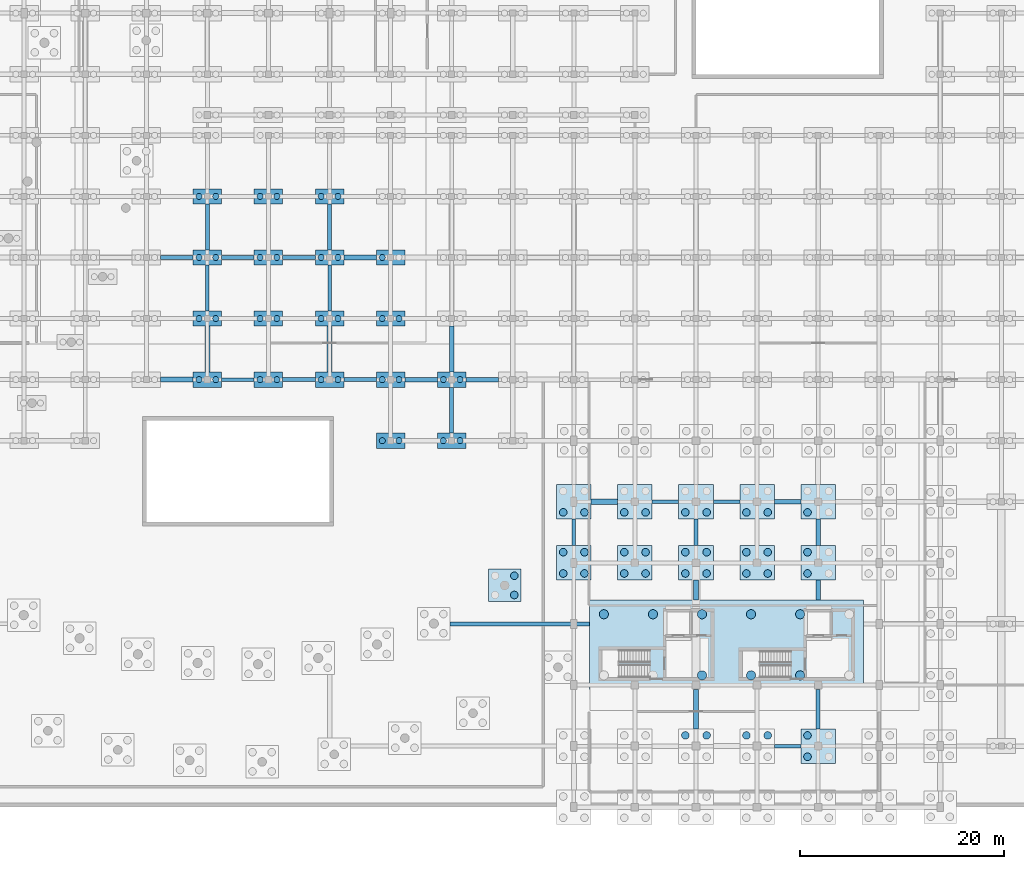
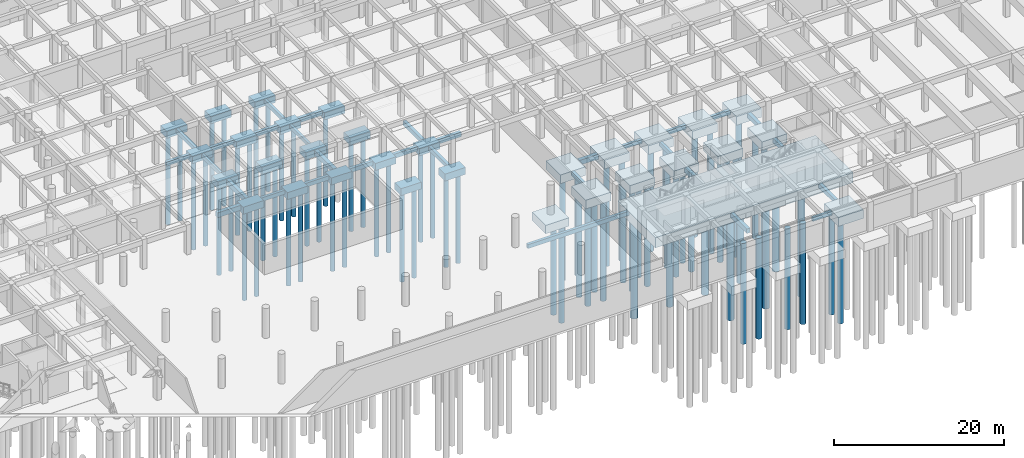
# One storey, part 4 of 41: 78 piles, 62 footings.
"""IFC4 building model written with IfcOpenShell, lengths in metres."""

from ifc_helpers import new_model, si_unit, direction, frame, origin, origin_2d, place, context, subcontext, project, spatial, polyline, rectangle, circle, outline, extrude, material, material_profile, profile_set, type_object, element, save


model = new_model("IFC4")

# Units and contexts
model_context = context("Model", 3, precision=1e-05, world=origin(), true_north=direction((0.0, 1.0)))
body_context = subcontext(model_context, "Body", "Model", "MODEL_VIEW")
ifc_project = project(units=[si_unit("LENGTHUNIT", "METRE"), si_unit("AREAUNIT", "SQUARE_METRE"), si_unit("VOLUMEUNIT", "CUBIC_METRE"), si_unit("PLANEANGLEUNIT", "RADIAN"), si_unit("MASSUNIT", "GRAM", prefix="KILO"), si_unit("POWERUNIT", "WATT"), si_unit("THERMODYNAMICTEMPERATUREUNIT", "KELVIN")], contexts=[model_context])

# Site, building, storey
site_placement = place(None, origin())
site = spatial("IfcSite", under=ifc_project, at=site_placement, CompositionType="ELEMENT")
building_placement = place(site_placement, origin())
building = spatial("IfcBuilding", under=site, at=building_placement, Name="Ruvembo Vaulted Housing Court", CompositionType="ELEMENT")
storey_placement = place(building_placement, frame((0.0, 0.0, -4.5)))
storey = spatial("IfcBuildingStorey", under=building, at=storey_placement, Name="B1", CompositionType="ELEMENT", Elevation=-4.5)

# Footings
ifc_material_1 = material(Name="Concrete C30/37", Category="concrete")
footing_type_1 = type_object("IfcFootingType", Name="GB-350x550", PredefinedType="FOOTING_BEAM", material=ifc_material_1)
footing_1_placement = place(storey_placement, frame((0.0, 0.0, -0.85009765625)))
element("IfcFooting", 1, at=footing_1_placement, inside=storey, type_object=footing_type_1, Name="Ground Tie Beam GB-012", PredefinedType="FOOTING_BEAM", context=body_context, shape_type="SweptSolid", body=[
    extrude(outline(polyline([(121.699951171875, 5.824951171875), (124.300048828125, 5.824951171875), (124.300048828125, 6.175048828125), (121.699951171875, 6.175048828125), (121.699951171875, 5.824951171875)])), origin(), (0.0, 0.0, 1.0), 0.550048828125),
])
footing_2_placement = place(storey_placement, frame((0.0, 0.0, -0.85009765625)))
element("IfcFooting", 2, at=footing_2_placement, inside=storey, type_object=footing_type_1, Name="Ground Tie Beam GB-042", PredefinedType="FOOTING_BEAM", context=body_context, shape_type="SweptSolid", body=[
    extrude(outline(polyline([(109.699951171875, 29.824951171875), (112.300048828125, 29.824951171875), (112.300048828125, 30.175048828125), (109.699951171875, 30.175048828125), (109.699951171875, 29.824951171875)])), origin(), (0.0, 0.0, 1.0), 0.550048828125),
])
footing_3_placement = place(storey_placement, frame((0.0, 0.0, -0.85009765625)))
element("IfcFooting", 3, at=footing_3_placement, inside=storey, type_object=footing_type_1, Name="Ground Tie Beam GB-066", PredefinedType="FOOTING_BEAM", context=body_context, shape_type="SweptSolid", body=[
    extrude(outline(polyline([(67.39990234375, 41.824951171875), (70.60009765625, 41.824951171875), (70.60009765625, 42.175048828125), (67.39990234375, 42.175048828125), (67.39990234375, 41.824951171875)])), origin(), (0.0, 0.0, 1.0), 0.550048828125),
])
footing_4_placement = place(storey_placement, frame((0.0, 0.0, -0.85009765625)))
element("IfcFooting", 4, at=footing_4_placement, inside=storey, type_object=footing_type_1, Name="Ground Tie Beam GB-234", PredefinedType="FOOTING_BEAM", context=body_context, shape_type="SweptSolid", body=[
    extrude(outline(polyline([(65.824951171875, 48.75), (66.175048828125, 48.75), (66.175048828125, 53.25), (65.824951171875, 53.25), (65.824951171875, 48.75)])), origin(), (0.0, 0.0, 1.0), 0.550048828125),
])
footing_5_placement = place(storey_placement, frame((0.0, 0.0, -0.85009765625)))
element("IfcFooting", 5, at=footing_5_placement, inside=storey, type_object=footing_type_1, Name="Ground Tie Beam GB-246", PredefinedType="FOOTING_BEAM", context=body_context, shape_type="SweptSolid", body=[
    extrude(outline(polyline([(77.824951171875, 48.75), (78.175048828125, 48.75), (78.175048828125, 53.25), (77.824951171875, 53.25), (77.824951171875, 48.75)])), origin(), (0.0, 0.0, 1.0), 0.550048828125),
])
footing_6_placement = place(storey_placement, frame((0.0, 0.0, -0.85009765625)))
element("IfcFooting", 6, at=footing_6_placement, inside=storey, type_object=footing_type_1, Name="Ground Tie Beam GB-264", PredefinedType="FOOTING_BEAM", context=body_context, shape_type="SweptSolid", body=[
    extrude(outline(polyline([(101.824951171875, 25.699951171875), (102.175048828125, 25.699951171875), (102.175048828125, 28.300048828125), (101.824951171875, 28.300048828125), (101.824951171875, 25.699951171875)])), origin(), (0.0, 0.0, 1.0), 0.550048828125),
])
footing_7_placement = place(storey_placement, frame((0.0, 0.0, -0.85009765625)))
element("IfcFooting", 7, at=footing_7_placement, inside=storey, type_object=footing_type_1, Name="Ground Tie Beam GB-276", PredefinedType="FOOTING_BEAM", context=body_context, shape_type="SweptSolid", body=[
    extrude(outline(polyline([(113.824951171875, 25.699951171875), (114.175048828125, 25.699951171875), (114.175048828125, 28.300048828125), (113.824951171875, 28.300048828125), (113.824951171875, 25.699951171875)])), origin(), (0.0, 0.0, 1.0), 0.550048828125),
])
footing_type_2 = type_object("IfcFootingType", Name="GB-380x580", PredefinedType="FOOTING_BEAM", material=ifc_material_1)
footing_8_placement = place(storey_placement, frame((0.0, 0.0, -0.8798828125)))
element("IfcFooting", 8, at=footing_8_placement, inside=storey, type_object=footing_type_2, Name="Ground Tie Beam GB-025", PredefinedType="FOOTING_BEAM", context=body_context, shape_type="SweptSolid", body=[
    extrude(outline(polyline([(89.8447265625, 17.81005859375), (103.550048828125, 17.81005859375), (103.550048828125, 18.18994140625), (89.8447265625, 18.18994140625), (89.8447265625, 17.81005859375)])), origin(), (0.0, 0.0, 1.0), 0.579833984375),
])
footing_9_placement = place(storey_placement, frame((0.0, 0.0, -0.8798828125)))
element("IfcFooting", 9, at=footing_9_placement, inside=storey, type_object=footing_type_2, Name="Ground Tie Beam GB-043", PredefinedType="FOOTING_BEAM", context=body_context, shape_type="SweptSolid", body=[
    extrude(outline(polyline([(115.699951171875, 29.81005859375), (118.300048828125, 29.81005859375), (118.300048828125, 30.18994140625), (115.699951171875, 30.18994140625), (115.699951171875, 29.81005859375)])), origin(), (0.0, 0.0, 1.0), 0.579833984375),
])
footing_10_placement = place(storey_placement, frame((0.0, 0.0, -0.8798828125)))
element("IfcFooting", 10, at=footing_10_placement, inside=storey, type_object=footing_type_2, Name="Ground Tie Beam GB-067", PredefinedType="FOOTING_BEAM", context=body_context, shape_type="SweptSolid", body=[
    extrude(outline(polyline([(73.39990234375, 41.81005859375), (76.60009765625, 41.81005859375), (76.60009765625, 42.18994140625), (73.39990234375, 42.18994140625), (73.39990234375, 41.81005859375)])), origin(), (0.0, 0.0, 1.0), 0.579833984375),
])
footing_11_placement = place(storey_placement, frame((0.0, 0.0, -0.8798828125)))
element("IfcFooting", 11, at=footing_11_placement, inside=storey, type_object=footing_type_2, Name="Ground Tie Beam GB-091", PredefinedType="FOOTING_BEAM", context=body_context, shape_type="SweptSolid", body=[
    extrude(outline(polyline([(61.39990234375, 53.81005859375), (64.60009765625, 53.81005859375), (64.60009765625, 54.18994140625), (61.39990234375, 54.18994140625), (61.39990234375, 53.81005859375)])), origin(), (0.0, 0.0, 1.0), 0.579833984375),
])
footing_12_placement = place(storey_placement, frame((0.0, 0.0, -0.8798828125)))
element("IfcFooting", 12, at=footing_12_placement, inside=storey, type_object=footing_type_2, Name="Ground Tie Beam GB-235", PredefinedType="FOOTING_BEAM", context=body_context, shape_type="SweptSolid", body=[
    extrude(outline(polyline([(65.81005859375, 54.75), (66.18994140625, 54.75), (66.18994140625, 59.25), (65.81005859375, 59.25), (65.81005859375, 54.75)])), origin(), (0.0, 0.0, 1.0), 0.579833984375),
])
footing_13_placement = place(storey_placement, frame((0.0, 0.0, -0.8798828125)))
element("IfcFooting", 13, at=footing_13_placement, inside=storey, type_object=footing_type_2, Name="Ground Tie Beam GB-247", PredefinedType="FOOTING_BEAM", context=body_context, shape_type="SweptSolid", body=[
    extrude(outline(polyline([(77.81005859375, 54.75), (78.18994140625, 54.75), (78.18994140625, 59.25), (77.81005859375, 59.25), (77.81005859375, 54.75)])), origin(), (0.0, 0.0, 1.0), 0.579833984375),
])
footing_type_3 = type_object("IfcFootingType", Name="GB-400x600", PredefinedType="FOOTING_BEAM", material=ifc_material_1)
footing_14_placement = place(storey_placement, frame((0.0, 0.0, -0.89990234375)))
element("IfcFooting", 14, at=footing_14_placement, inside=storey, type_object=footing_type_3, Name="Ground Tie Beam GB-044", PredefinedType="FOOTING_BEAM", context=body_context, shape_type="SweptSolid", body=[
    extrude(outline(polyline([(121.699951171875, 29.800048828125), (124.300048828125, 29.800048828125), (124.300048828125, 30.199951171875), (121.699951171875, 30.199951171875), (121.699951171875, 29.800048828125)])), origin(), (0.0, 0.0, 1.0), 0.599853515625),
])
footing_15_placement = place(storey_placement, frame((0.0, 0.0, -0.89990234375)))
element("IfcFooting", 15, at=footing_15_placement, inside=storey, type_object=footing_type_3, Name="Ground Tie Beam GB-068", PredefinedType="FOOTING_BEAM", context=body_context, shape_type="SweptSolid", body=[
    extrude(outline(polyline([(79.39990234375, 41.800048828125), (82.60009765625, 41.800048828125), (82.60009765625, 42.199951171875), (79.39990234375, 42.199951171875), (79.39990234375, 41.800048828125)])), origin(), (0.0, 0.0, 1.0), 0.599853515625),
])
footing_16_placement = place(storey_placement, frame((0.0, 0.0, -0.89990234375)))
element("IfcFooting", 16, at=footing_16_placement, inside=storey, type_object=footing_type_3, Name="Ground Tie Beam GB-092", PredefinedType="FOOTING_BEAM", context=body_context, shape_type="SweptSolid", body=[
    extrude(outline(polyline([(67.39990234375, 53.800048828125), (70.60009765625, 53.800048828125), (70.60009765625, 54.199951171875), (67.39990234375, 54.199951171875), (67.39990234375, 53.800048828125)])), origin(), (0.0, 0.0, 1.0), 0.599853515625),
])
footing_17_placement = place(storey_placement, frame((0.0, 0.0, -0.89990234375)))
element("IfcFooting", 17, at=footing_17_placement, inside=storey, type_object=footing_type_3, Name="Ground Tie Beam GB-254", PredefinedType="FOOTING_BEAM", context=body_context, shape_type="SweptSolid", body=[
    extrude(outline(polyline([(89.800048828125, 36.75), (90.199951171875, 36.75), (90.199951171875, 41.25), (89.800048828125, 41.25), (89.800048828125, 36.75)])), origin(), (0.0, 0.0, 1.0), 0.599853515625),
])
footing_18_placement = place(storey_placement, frame((0.0, 0.0, -0.89990234375)))
element("IfcFooting", 18, at=footing_18_placement, inside=storey, type_object=footing_type_3, Name="Ground Tie Beam GB-284", PredefinedType="FOOTING_BEAM", context=body_context, shape_type="SweptSolid", body=[
    extrude(outline(polyline([(125.800048828125, 7.699951171875), (126.199951171875, 7.699951171875), (126.199951171875, 11.550048828125), (125.800048828125, 11.550048828125), (125.800048828125, 7.699951171875)])), origin(), (0.0, 0.0, 1.0), 0.599853515625),
])
footing_type_4 = type_object("IfcFootingType", Name="GB-420x620", PredefinedType="FOOTING_BEAM", material=ifc_material_1)
footing_19_placement = place(storey_placement, frame((0.0, 0.0, -0.919921875)))
element("IfcFooting", 19, at=footing_19_placement, inside=storey, type_object=footing_type_4, Name="Ground Tie Beam GB-069", PredefinedType="FOOTING_BEAM", context=body_context, shape_type="SweptSolid", body=[
    extrude(outline(polyline([(85.39990234375, 41.7900390625), (88.60009765625, 41.7900390625), (88.60009765625, 42.2099609375), (85.39990234375, 42.2099609375), (85.39990234375, 41.7900390625)])), origin(), (0.0, 0.0, 1.0), 0.619873046875),
])
footing_20_placement = place(storey_placement, frame((0.0, 0.0, -0.919921875)))
element("IfcFooting", 20, at=footing_20_placement, inside=storey, type_object=footing_type_4, Name="Ground Tie Beam GB-093", PredefinedType="FOOTING_BEAM", context=body_context, shape_type="SweptSolid", body=[
    extrude(outline(polyline([(73.39990234375, 53.7900390625), (76.60009765625, 53.7900390625), (76.60009765625, 54.2099609375), (73.39990234375, 54.2099609375), (73.39990234375, 53.7900390625)])), origin(), (0.0, 0.0, 1.0), 0.619873046875),
])
footing_21_placement = place(storey_placement, frame((0.0, 0.0, -0.919921875)))
element("IfcFooting", 21, at=footing_21_placement, inside=storey, type_object=footing_type_4, Name="Ground Tie Beam GB-255", PredefinedType="FOOTING_BEAM", context=body_context, shape_type="SweptSolid", body=[
    extrude(outline(polyline([(89.7900390625, 42.75), (90.2099609375, 42.75), (90.2099609375, 47.25), (89.7900390625, 47.25), (89.7900390625, 42.75)])), origin(), (0.0, 0.0, 1.0), 0.619873046875),
])
footing_22_placement = place(storey_placement, frame((0.0, 0.0, -0.919921875)))
element("IfcFooting", 22, at=footing_22_placement, inside=storey, type_object=footing_type_4, Name="Ground Tie Beam GB-285", PredefinedType="FOOTING_BEAM", context=body_context, shape_type="SweptSolid", body=[
    extrude(outline(polyline([(125.7900390625, 20.35009765625), (126.2099609375, 20.35009765625), (126.2099609375, 22.300048828125), (125.7900390625, 22.300048828125), (125.7900390625, 20.35009765625)])), origin(), (0.0, 0.0, 1.0), 0.619873046875),
])
footing_type_5 = type_object("IfcFootingType", Name="GB-450x650", PredefinedType="FOOTING_BEAM", material=ifc_material_1)
footing_23_placement = place(storey_placement, frame((0.0, 0.0, -0.949951171875)))
element("IfcFooting", 23, at=footing_23_placement, inside=storey, type_object=footing_type_5, Name="Ground Tie Beam GB-070", PredefinedType="FOOTING_BEAM", context=body_context, shape_type="SweptSolid", body=[
    extrude(outline(polyline([(91.39990234375, 41.77490234375), (94.60009765625, 41.77490234375), (94.60009765625, 42.22509765625), (91.39990234375, 42.22509765625), (91.39990234375, 41.77490234375)])), origin(), (0.0, 0.0, 1.0), 0.64990234375),
])
footing_24_placement = place(storey_placement, frame((0.0, 0.0, -0.949951171875)))
element("IfcFooting", 24, at=footing_24_placement, inside=storey, type_object=footing_type_5, Name="Ground Tie Beam GB-094", PredefinedType="FOOTING_BEAM", context=body_context, shape_type="SweptSolid", body=[
    extrude(outline(polyline([(79.39990234375, 53.77490234375), (82.60009765625, 53.77490234375), (82.60009765625, 54.22509765625), (79.39990234375, 54.22509765625), (79.39990234375, 53.77490234375)])), origin(), (0.0, 0.0, 1.0), 0.64990234375),
])
footing_25_placement = place(storey_placement, frame((0.0, 0.0, -0.949951171875)))
element("IfcFooting", 25, at=footing_25_placement, inside=storey, type_object=footing_type_5, Name="Ground Tie Beam GB-274", PredefinedType="FOOTING_BEAM", context=body_context, shape_type="SweptSolid", body=[
    extrude(outline(polyline([(113.77490234375, 7.699951171875), (114.22509765625, 7.699951171875), (114.22509765625, 11.550048828125), (113.77490234375, 11.550048828125), (113.77490234375, 7.699951171875)])), origin(), (0.0, 0.0, 1.0), 0.64990234375),
])
footing_26_placement = place(storey_placement, frame((0.0, 0.0, -0.949951171875)))
element("IfcFooting", 26, at=footing_26_placement, inside=storey, type_object=footing_type_5, Name="Ground Tie Beam GB-286", PredefinedType="FOOTING_BEAM", context=body_context, shape_type="SweptSolid", body=[
    extrude(outline(polyline([(125.77490234375, 25.699951171875), (126.22509765625, 25.699951171875), (126.22509765625, 28.300048828125), (125.77490234375, 28.300048828125), (125.77490234375, 25.699951171875)])), origin(), (0.0, 0.0, 1.0), 0.64990234375),
])
footing_type_6 = type_object("IfcFootingType", Name="GB-500x700", PredefinedType="FOOTING_BEAM", material=ifc_material_1)
footing_27_placement = place(storey_placement, frame((0.0, 0.0, -1.0)))
element("IfcFooting", 27, at=footing_27_placement, inside=storey, type_object=footing_type_6, Name="Ground Tie Beam GB-041", PredefinedType="FOOTING_BEAM", context=body_context, shape_type="SweptSolid", body=[
    extrude(outline(polyline([(103.699951171875, 29.75), (106.300048828125, 29.75), (106.300048828125, 30.25), (103.699951171875, 30.25), (103.699951171875, 29.75)])), origin(), (0.0, 0.0, 1.0), 0.699951171875),
])
footing_28_placement = place(storey_placement, frame((0.0, 0.0, -1.0)))
element("IfcFooting", 28, at=footing_28_placement, inside=storey, type_object=footing_type_6, Name="Ground Tie Beam GB-065", PredefinedType="FOOTING_BEAM", context=body_context, shape_type="SweptSolid", body=[
    extrude(outline(polyline([(61.39990234375, 41.75), (64.60009765625, 41.75), (64.60009765625, 42.25), (61.39990234375, 42.25), (61.39990234375, 41.75)])), origin(), (0.0, 0.0, 1.0), 0.699951171875),
])
footing_29_placement = place(storey_placement, frame((0.0, 0.0, -1.0)))
element("IfcFooting", 29, at=footing_29_placement, inside=storey, type_object=footing_type_6, Name="Ground Tie Beam GB-233", PredefinedType="FOOTING_BEAM", context=body_context, shape_type="SweptSolid", body=[
    extrude(outline(polyline([(65.75, 42.75), (66.25, 42.75), (66.25, 47.25), (65.75, 47.25), (65.75, 42.75)])), origin(), (0.0, 0.0, 1.0), 0.699951171875),
])
footing_30_placement = place(storey_placement, frame((0.0, 0.0, -1.0)))
element("IfcFooting", 30, at=footing_30_placement, inside=storey, type_object=footing_type_6, Name="Ground Tie Beam GB-245", PredefinedType="FOOTING_BEAM", context=body_context, shape_type="SweptSolid", body=[
    extrude(outline(polyline([(77.75, 42.75), (78.25, 42.75), (78.25, 47.25), (77.75, 47.25), (77.75, 42.75)])), origin(), (0.0, 0.0, 1.0), 0.699951171875),
])
footing_31_placement = place(storey_placement, frame((0.0, 0.0, -1.0)))
element("IfcFooting", 31, at=footing_31_placement, inside=storey, type_object=footing_type_6, Name="Ground Tie Beam GB-275", PredefinedType="FOOTING_BEAM", context=body_context, shape_type="SweptSolid", body=[
    extrude(outline(polyline([(113.75, 20.35009765625), (114.25, 20.35009765625), (114.25, 22.300048828125), (113.75, 22.300048828125), (113.75, 20.35009765625)])), origin(), (0.0, 0.0, 1.0), 0.699951171875),
])
ifc_material_2 = material(Name="Concrete C35/45", Category="concrete")
footing_type_7 = type_object("IfcFootingType", Name="PC-2P-A", PredefinedType="PILE_CAP", material=ifc_material_2)
for number, where, z_axis, x_axis, name in (
    (32, (66.0, 42.0, -1.300048828125), (0.0, 0.0, 1.0), (1.0, 0.0, 0.0), "Pile Cap PC1 #133"),
    (33, (66.0, 48.0, -1.300048828125), (0.0, 0.0, 1.0), (1.0, 0.0, 0.0), "Pile Cap PC1 #134"),
    (34, (66.0, 54.0, -1.300048828125), (0.0, 0.0, 1.0), (1.0, 0.0, 0.0), "Pile Cap PC1 #135"),
    (35, (66.0, 60.0, -1.300048828125), (0.0, 0.0, 1.0), (1.0, 0.0, 0.0), "Pile Cap PC1 #136"),
    (36, (72.0, 42.0, -1.300048828125), (0.0, 0.0, 1.0), (1.0, 0.0, 0.0), "Pile Cap PC1 #145"),
    (37, (72.0, 48.0, -1.300048828125), (0.0, 0.0, 1.0), (1.0, 0.0, 0.0), "Pile Cap PC1 #146"),
    (38, (72.0, 54.0, -1.300048828125), (0.0, 0.0, 1.0), (1.0, 0.0, 0.0), "Pile Cap PC1 #147"),
    (39, (72.0, 60.0, -1.300048828125), (0.0, 0.0, 1.0), (1.0, 0.0, 0.0), "Pile Cap PC1 #148"),
    (40, (78.0, 42.0, -1.300048828125), (0.0, 0.0, 1.0), (1.0, 0.0, 0.0), "Pile Cap PC1 #157"),
    (41, (78.0, 48.0, -1.300048828125), (0.0, 0.0, 1.0), (1.0, 0.0, 0.0), "Pile Cap PC1 #158"),
    (42, (78.0, 54.0, -1.300048828125), (0.0, 0.0, 1.0), (1.0, 0.0, 0.0), "Pile Cap PC1 #159"),
    (43, (78.0, 60.0, -1.300048828125), (0.0, 0.0, 1.0), (1.0, 0.0, 0.0), "Pile Cap PC1 #160"),
    (44, (84.0, 36.0, -1.300048828125), (0.0, 0.0, 1.0), (1.0, 0.0, 0.0), "Pile Cap PC1 #169"),
    (45, (84.0, 42.0, -1.300048828125), (0.0, 0.0, 1.0), (1.0, 0.0, 0.0), "Pile Cap PC1 #170"),
    (46, (84.0, 48.0, -1.300048828125), (0.0, 0.0, 1.0), (1.0, 0.0, 0.0), "Pile Cap PC1 #171"),
    (47, (84.0, 54.0, -1.300048828125), (0.0, 0.0, 1.0), (1.0, 0.0, 0.0), "Pile Cap PC1 #172"),
    (48, (90.0, 36.0, -1.300048828125), (0.0, 0.0, 1.0), (1.0, 0.0, 0.0), "Pile Cap PC1 #184"),
    (49, (90.0, 42.0, -1.300048828125), (0.0, 0.0, 1.0), (1.0, 0.0, 0.0), "Pile Cap PC1 #185"),
):
    element("IfcFooting", number, at=place(storey_placement, frame(where, z_axis=z_axis, x_axis=x_axis)), inside=storey, type_object=footing_type_7, Name=name, PredefinedType="PILE_CAP", context=body_context, shape_type="SweptSolid", body=[
        extrude(rectangle(XDim=2.800048828125, YDim=1.5, at=origin_2d()), origin(), (0.0, 0.0, 1.0), 1.0),
    ])
footing_type_8 = type_object("IfcFootingType", Name="PC-4P-A", PredefinedType="PILE_CAP", material=ifc_material_2)
footing_32_placement = place(storey_placement, frame((95.20654296875, 21.785400390625, -1.5), z_axis=(0.0, 0.0, 1.0), x_axis=(1.0, 0.0, 0.0)))
element("IfcFooting", 50, at=footing_32_placement, inside=storey, type_object=footing_type_8, Name="Pile Cap PC4 #421", PredefinedType="PILE_CAP", context=body_context, shape_type="SweptSolid", body=[
    extrude(rectangle(XDim=3.199951171875, YDim=3.199951171875, at=origin_2d()), origin(), (0.0, 0.0, 1.0), 1.199951171875),
])
footing_type_9 = type_object("IfcFootingType", Name="PC-4P-B", PredefinedType="PILE_CAP", material=ifc_material_2)
for number, where, z_axis, x_axis, name in (
    (51, (102.0, 24.0, -1.550048828125), (0.0, 0.0, 1.0), (1.0, 0.0, 0.0), "Pile Cap PC5 #204"),
    (52, (102.0, 30.0, -1.550048828125), (0.0, 0.0, 1.0), (1.0, 0.0, 0.0), "Pile Cap PC5 #205"),
    (53, (108.0, 24.0, -1.550048828125), (0.0, 0.0, 1.0), (1.0, 0.0, 0.0), "Pile Cap PC5 #217"),
    (54, (108.0, 30.0, -1.550048828125), (0.0, 0.0, 1.0), (1.0, 0.0, 0.0), "Pile Cap PC5 #218"),
    (55, (114.0, 24.0, -1.550048828125), (0.0, 0.0, 1.0), (1.0, 0.0, 0.0), "Pile Cap PC5 #230"),
    (56, (114.0, 30.0, -1.550048828125), (0.0, 0.0, 1.0), (1.0, 0.0, 0.0), "Pile Cap PC5 #231"),
    (57, (120.0, 24.0, -1.550048828125), (0.0, 0.0, 1.0), (1.0, 0.0, 0.0), "Pile Cap PC5 #240"),
    (58, (120.0, 30.0, -1.550048828125), (0.0, 0.0, 1.0), (1.0, 0.0, 0.0), "Pile Cap PC5 #241"),
    (59, (126.0, 6.0, -1.550048828125), (0.0, 0.0, 1.0), (1.0, 0.0, 0.0), "Pile Cap PC5 #249"),
    (60, (126.0, 24.0, -1.550048828125), (0.0, 0.0, 1.0), (1.0, 0.0, 0.0), "Pile Cap PC5 #250"),
    (61, (126.0, 30.0, -1.550048828125), (0.0, 0.0, 1.0), (1.0, 0.0, 0.0), "Pile Cap PC5 #251"),
):
    element("IfcFooting", number, at=place(storey_placement, frame(where, z_axis=z_axis, x_axis=x_axis)), inside=storey, type_object=footing_type_9, Name=name, PredefinedType="PILE_CAP", context=body_context, shape_type="SweptSolid", body=[
        extrude(rectangle(XDim=3.39990234375, YDim=3.39990234375, at=origin_2d()), origin(), (0.0, 0.0, 1.0), 1.25),
    ])
footing_type_10 = type_object("IfcFootingType", Name="PC-MAT-C", PredefinedType="PILE_CAP", material=ifc_material_2)
footing_33_placement = place(storey_placement, frame((117.0, 15.949951171875, -1.780029296875), z_axis=(0.0, 0.0, 1.0), x_axis=(1.0, 0.0, 0.0)))
element("IfcFooting", 62, at=footing_33_placement, inside=storey, type_object=footing_type_10, Name="Core Pile Cap PCM-C", PredefinedType="PILE_CAP", context=body_context, shape_type="SweptSolid", body=[
    extrude(rectangle(XDim=26.89990234375, YDim=8.800048828125, at=origin_2d()), origin(), (0.0, 0.0, 1.0), 1.47998046875),
])

# Piles
ifc_material_profile_1 = material_profile(ifc_material_1, circle(Radius=0.300048828125, at=origin_2d()), Name="PILE D600")
ifc_profile_set_1 = profile_set([ifc_material_profile_1], Name="Concrete C30/37")
pile_type_1 = type_object("IfcPileType", Name="PILE-BORED-600", PredefinedType="BORED", material=ifc_profile_set_1)
for number, where, z_axis, x_axis, name in (
    (63, (65.179931640625, 42.0, -1.199951171875), (0.0, 0.0, -1.0), (1.0, 0.0, 0.0), "Bored Pile PILE-0391"),
    (64, (66.820068359375, 42.0, -1.199951171875), (0.0, 0.0, -1.0), (1.0, 0.0, 0.0), "Bored Pile PILE-0392"),
    (65, (65.179931640625, 48.0, -1.199951171875), (0.0, 0.0, -1.0), (1.0, 0.0, 0.0), "Bored Pile PILE-0393"),
    (66, (66.820068359375, 48.0, -1.199951171875), (0.0, 0.0, -1.0), (1.0, 0.0, 0.0), "Bored Pile PILE-0394"),
    (67, (65.179931640625, 54.0, -1.199951171875), (0.0, 0.0, -1.0), (1.0, 0.0, 0.0), "Bored Pile PILE-0395"),
    (68, (66.820068359375, 54.0, -1.199951171875), (0.0, 0.0, -1.0), (1.0, 0.0, 0.0), "Bored Pile PILE-0396"),
    (69, (65.179931640625, 60.0, -1.199951171875), (0.0, 0.0, -1.0), (1.0, 0.0, 0.0), "Bored Pile PILE-0397"),
    (70, (66.820068359375, 60.0, -1.199951171875), (0.0, 0.0, -1.0), (1.0, 0.0, 0.0), "Bored Pile PILE-0398"),
    (71, (71.179931640625, 42.0, -1.199951171875), (0.0, 0.0, -1.0), (1.0, 0.0, 0.0), "Bored Pile PILE-0423"),
    (72, (72.820068359375, 42.0, -1.199951171875), (0.0, 0.0, -1.0), (1.0, 0.0, 0.0), "Bored Pile PILE-0424"),
    (73, (71.179931640625, 48.0, -1.199951171875), (0.0, 0.0, -1.0), (1.0, 0.0, 0.0), "Bored Pile PILE-0425"),
    (74, (72.820068359375, 48.0, -1.199951171875), (0.0, 0.0, -1.0), (1.0, 0.0, 0.0), "Bored Pile PILE-0426"),
    (75, (71.179931640625, 54.0, -1.199951171875), (0.0, 0.0, -1.0), (1.0, 0.0, 0.0), "Bored Pile PILE-0427"),
    (76, (72.820068359375, 54.0, -1.199951171875), (0.0, 0.0, -1.0), (1.0, 0.0, 0.0), "Bored Pile PILE-0428"),
    (77, (71.179931640625, 60.0, -1.199951171875), (0.0, 0.0, -1.0), (1.0, 0.0, 0.0), "Bored Pile PILE-0429"),
    (78, (72.820068359375, 60.0, -1.199951171875), (0.0, 0.0, -1.0), (1.0, 0.0, 0.0), "Bored Pile PILE-0430"),
    (79, (77.179931640625, 42.0, -1.199951171875), (0.0, 0.0, -1.0), (1.0, 0.0, 0.0), "Bored Pile PILE-0455"),
    (80, (78.820068359375, 42.0, -1.199951171875), (0.0, 0.0, -1.0), (1.0, 0.0, 0.0), "Bored Pile PILE-0456"),
    (81, (77.179931640625, 48.0, -1.199951171875), (0.0, 0.0, -1.0), (1.0, 0.0, 0.0), "Bored Pile PILE-0457"),
    (82, (78.820068359375, 48.0, -1.199951171875), (0.0, 0.0, -1.0), (1.0, 0.0, 0.0), "Bored Pile PILE-0458"),
    (83, (77.179931640625, 54.0, -1.199951171875), (0.0, 0.0, -1.0), (1.0, 0.0, 0.0), "Bored Pile PILE-0459"),
    (84, (78.820068359375, 54.0, -1.199951171875), (0.0, 0.0, -1.0), (1.0, 0.0, 0.0), "Bored Pile PILE-0460"),
    (85, (77.179931640625, 60.0, -1.199951171875), (0.0, 0.0, -1.0), (1.0, 0.0, 0.0), "Bored Pile PILE-0461"),
    (86, (78.820068359375, 60.0, -1.199951171875), (0.0, 0.0, -1.0), (1.0, 0.0, 0.0), "Bored Pile PILE-0462"),
    (87, (83.179931640625, 36.0, -1.199951171875), (0.0, 0.0, -1.0), (1.0, 0.0, 0.0), "Bored Pile PILE-0487"),
    (88, (84.820068359375, 36.0, -1.199951171875), (0.0, 0.0, -1.0), (1.0, 0.0, 0.0), "Bored Pile PILE-0488"),
    (89, (83.179931640625, 42.0, -1.199951171875), (0.0, 0.0, -1.0), (1.0, 0.0, 0.0), "Bored Pile PILE-0489"),
    (90, (84.820068359375, 42.0, -1.199951171875), (0.0, 0.0, -1.0), (1.0, 0.0, 0.0), "Bored Pile PILE-0490"),
    (91, (83.179931640625, 48.0, -1.199951171875), (0.0, 0.0, -1.0), (1.0, 0.0, 0.0), "Bored Pile PILE-0491"),
    (92, (84.820068359375, 48.0, -1.199951171875), (0.0, 0.0, -1.0), (1.0, 0.0, 0.0), "Bored Pile PILE-0492"),
    (93, (83.179931640625, 54.0, -1.199951171875), (0.0, 0.0, -1.0), (1.0, 0.0, 0.0), "Bored Pile PILE-0493"),
    (94, (89.179931640625, 36.0, -1.199951171875), (0.0, 0.0, -1.0), (1.0, 0.0, 0.0), "Bored Pile PILE-0517"),
    (95, (90.820068359375, 36.0, -1.199951171875), (0.0, 0.0, -1.0), (1.0, 0.0, 0.0), "Bored Pile PILE-0518"),
    (96, (89.179931640625, 42.0, -1.199951171875), (0.0, 0.0, -1.0), (1.0, 0.0, 0.0), "Bored Pile PILE-0519"),
    (97, (90.820068359375, 42.0, -1.199951171875), (0.0, 0.0, -1.0), (1.0, 0.0, 0.0), "Bored Pile PILE-0520"),
):
    element("IfcPile", number, at=place(storey_placement, frame(where, z_axis=z_axis, x_axis=x_axis)), inside=storey, type_object=pile_type_1, Name=name, PredefinedType="BORED", context=body_context, shape_type="SweptSolid", body=[
        extrude(circle(Radius=0.300048828125, at=origin_2d()), origin(), (0.0, 0.0, 1.0), 13.0),
    ])
ifc_material_profile_2 = material_profile(ifc_material_1, circle(Radius=0.375, at=origin_2d()), Name="PILE D750")
ifc_profile_set_2 = profile_set([ifc_material_profile_2], Name="Concrete C30/37")
pile_type_2 = type_object("IfcPileType", Name="PILE-BORED-750", PredefinedType="BORED", material=ifc_profile_set_2)
for number, where, z_axis, x_axis, name in (
    (98, (100.955078125, 22.955078125, -1.449951171875), (0.0, 0.0, -1.0), (1.0, 0.0, 0.0), "Bored Pile PILE-0561"),
    (99, (103.044921875, 22.955078125, -1.449951171875), (0.0, 0.0, -1.0), (1.0, 0.0, 0.0), "Bored Pile PILE-0562"),
    (100, (100.955078125, 25.044921875, -1.449951171875), (0.0, 0.0, -1.0), (1.0, 0.0, 0.0), "Bored Pile PILE-0563"),
    (101, (103.044921875, 25.044921875, -1.449951171875), (0.0, 0.0, -1.0), (1.0, 0.0, 0.0), "Bored Pile PILE-0564"),
    (102, (100.955078125, 28.955078125, -1.449951171875), (0.0, 0.0, -1.0), (1.0, 0.0, 0.0), "Bored Pile PILE-0565"),
    (103, (103.044921875, 28.955078125, -1.449951171875), (0.0, 0.0, -1.0), (1.0, 0.0, 0.0), "Bored Pile PILE-0566"),
    (104, (106.955078125, 22.955078125, -1.449951171875), (0.0, 0.0, -1.0), (1.0, 0.0, 0.0), "Bored Pile PILE-0597"),
    (105, (109.044921875, 22.955078125, -1.449951171875), (0.0, 0.0, -1.0), (1.0, 0.0, 0.0), "Bored Pile PILE-0598"),
    (106, (106.955078125, 25.044921875, -1.449951171875), (0.0, 0.0, -1.0), (1.0, 0.0, 0.0), "Bored Pile PILE-0599"),
    (107, (109.044921875, 25.044921875, -1.449951171875), (0.0, 0.0, -1.0), (1.0, 0.0, 0.0), "Bored Pile PILE-0600"),
    (108, (106.955078125, 28.955078125, -1.449951171875), (0.0, 0.0, -1.0), (1.0, 0.0, 0.0), "Bored Pile PILE-0601"),
    (109, (109.044921875, 28.955078125, -1.449951171875), (0.0, 0.0, -1.0), (1.0, 0.0, 0.0), "Bored Pile PILE-0602"),
    (110, (112.955078125, 7.044921875, -1.449951171875), (0.0, 0.0, -1.0), (1.0, 0.0, 0.0), "Bored Pile PILE-0631"),
    (111, (115.044921875, 7.044921875, -1.449951171875), (0.0, 0.0, -1.0), (1.0, 0.0, 0.0), "Bored Pile PILE-0632"),
    (112, (112.955078125, 22.955078125, -1.449951171875), (0.0, 0.0, -1.0), (1.0, 0.0, 0.0), "Bored Pile PILE-0633"),
    (113, (115.044921875, 22.955078125, -1.449951171875), (0.0, 0.0, -1.0), (1.0, 0.0, 0.0), "Bored Pile PILE-0634"),
    (114, (112.955078125, 25.044921875, -1.449951171875), (0.0, 0.0, -1.0), (1.0, 0.0, 0.0), "Bored Pile PILE-0635"),
    (115, (115.044921875, 25.044921875, -1.449951171875), (0.0, 0.0, -1.0), (1.0, 0.0, 0.0), "Bored Pile PILE-0636"),
    (116, (112.955078125, 28.955078125, -1.449951171875), (0.0, 0.0, -1.0), (1.0, 0.0, 0.0), "Bored Pile PILE-0637"),
    (117, (115.044921875, 28.955078125, -1.449951171875), (0.0, 0.0, -1.0), (1.0, 0.0, 0.0), "Bored Pile PILE-0638"),
    (118, (118.955078125, 7.044921875, -1.449951171875), (0.0, 0.0, -1.0), (1.0, 0.0, 0.0), "Bored Pile PILE-0661"),
    (119, (121.044921875, 7.044921875, -1.449951171875), (0.0, 0.0, -1.0), (1.0, 0.0, 0.0), "Bored Pile PILE-0662"),
    (120, (118.955078125, 22.955078125, -1.449951171875), (0.0, 0.0, -1.0), (1.0, 0.0, 0.0), "Bored Pile PILE-0663"),
    (121, (121.044921875, 22.955078125, -1.449951171875), (0.0, 0.0, -1.0), (1.0, 0.0, 0.0), "Bored Pile PILE-0664"),
    (122, (118.955078125, 25.044921875, -1.449951171875), (0.0, 0.0, -1.0), (1.0, 0.0, 0.0), "Bored Pile PILE-0665"),
    (123, (121.044921875, 25.044921875, -1.449951171875), (0.0, 0.0, -1.0), (1.0, 0.0, 0.0), "Bored Pile PILE-0666"),
    (124, (118.955078125, 28.955078125, -1.449951171875), (0.0, 0.0, -1.0), (1.0, 0.0, 0.0), "Bored Pile PILE-0667"),
    (125, (121.044921875, 28.955078125, -1.449951171875), (0.0, 0.0, -1.0), (1.0, 0.0, 0.0), "Bored Pile PILE-0668"),
    (126, (124.955078125, 4.955078125, -1.449951171875), (0.0, 0.0, -1.0), (1.0, 0.0, 0.0), "Bored Pile PILE-0689"),
    (127, (124.955078125, 7.044921875, -1.449951171875), (0.0, 0.0, -1.0), (1.0, 0.0, 0.0), "Bored Pile PILE-0691"),
    (128, (124.955078125, 22.955078125, -1.449951171875), (0.0, 0.0, -1.0), (1.0, 0.0, 0.0), "Bored Pile PILE-0693"),
    (129, (124.955078125, 25.044921875, -1.449951171875), (0.0, 0.0, -1.0), (1.0, 0.0, 0.0), "Bored Pile PILE-0695"),
    (130, (124.955078125, 28.955078125, -1.449951171875), (0.0, 0.0, -1.0), (1.0, 0.0, 0.0), "Bored Pile PILE-0697"),
):
    element("IfcPile", number, at=place(storey_placement, frame(where, z_axis=z_axis, x_axis=x_axis)), inside=storey, type_object=pile_type_2, Name=name, PredefinedType="BORED", context=body_context, shape_type="SweptSolid", body=[
        extrude(circle(Radius=0.375, at=origin_2d()), origin(), (0.0, 0.0, 1.0), 14.5),
    ])
for number, where, z_axis, x_axis, name in (
    (131, (96.151611328125, 20.84033203125, -1.39990234375), (0.0, 0.0, -1.0), (1.0, 0.0, 0.0), "Bored Pile PILE-1156"),
    (132, (96.151611328125, 22.730224609375, -1.39990234375), (0.0, 0.0, -1.0), (1.0, 0.0, 0.0), "Bored Pile PILE-1158"),
):
    element("IfcPile", number, at=place(storey_placement, frame(where, z_axis=z_axis, x_axis=x_axis)), inside=storey, type_object=pile_type_2, Name=name, PredefinedType="BORED", context=body_context, shape_type="SweptSolid", body=[
        extrude(circle(Radius=0.375, at=origin_2d()), origin(), (0.0, 0.0, 1.0), 14.0),
    ])
ifc_material_profile_3 = material_profile(ifc_material_1, circle(Radius=0.449951171875, at=origin_2d()), Name="PILE D900")
ifc_profile_set_3 = profile_set([ifc_material_profile_3], Name="Concrete C30/37")
pile_type_3 = type_object("IfcPileType", Name="PILE-BORED-900", PredefinedType="BORED", material=ifc_profile_set_3)
for number, where, z_axis, x_axis, name in (
    (133, (104.949951171875, 18.949951171875, -1.679931640625), (0.0, 0.0, -1.0), (1.0, 0.0, 0.0), "Bored Pile PILE-0026"),
    (134, (109.77001953125, 18.949951171875, -1.679931640625), (0.0, 0.0, -1.0), (1.0, 0.0, 0.0), "Bored Pile PILE-0028"),
    (135, (114.590087890625, 12.949951171875, -1.679931640625), (0.0, 0.0, -1.0), (1.0, 0.0, 0.0), "Bored Pile PILE-0029"),
    (136, (114.590087890625, 18.949951171875, -1.679931640625), (0.0, 0.0, -1.0), (1.0, 0.0, 0.0), "Bored Pile PILE-0030"),
    (137, (119.409912109375, 12.949951171875, -1.679931640625), (0.0, 0.0, -1.0), (1.0, 0.0, 0.0), "Bored Pile PILE-0031"),
    (138, (119.409912109375, 18.949951171875, -1.679931640625), (0.0, 0.0, -1.0), (1.0, 0.0, 0.0), "Bored Pile PILE-0032"),
    (139, (124.22998046875, 12.949951171875, -1.679931640625), (0.0, 0.0, -1.0), (1.0, 0.0, 0.0), "Bored Pile PILE-0033"),
    (140, (124.22998046875, 18.949951171875, -1.679931640625), (0.0, 0.0, -1.0), (1.0, 0.0, 0.0), "Bored Pile PILE-0034"),
):
    element("IfcPile", number, at=place(storey_placement, frame(where, z_axis=z_axis, x_axis=x_axis)), inside=storey, type_object=pile_type_3, Name=name, PredefinedType="BORED", context=body_context, shape_type="SweptSolid", body=[
        extrude(circle(Radius=0.449951171875, at=origin_2d()), origin(), (0.0, 0.0, 1.0), 15.0),
    ])

save(model, "model.ifc")
